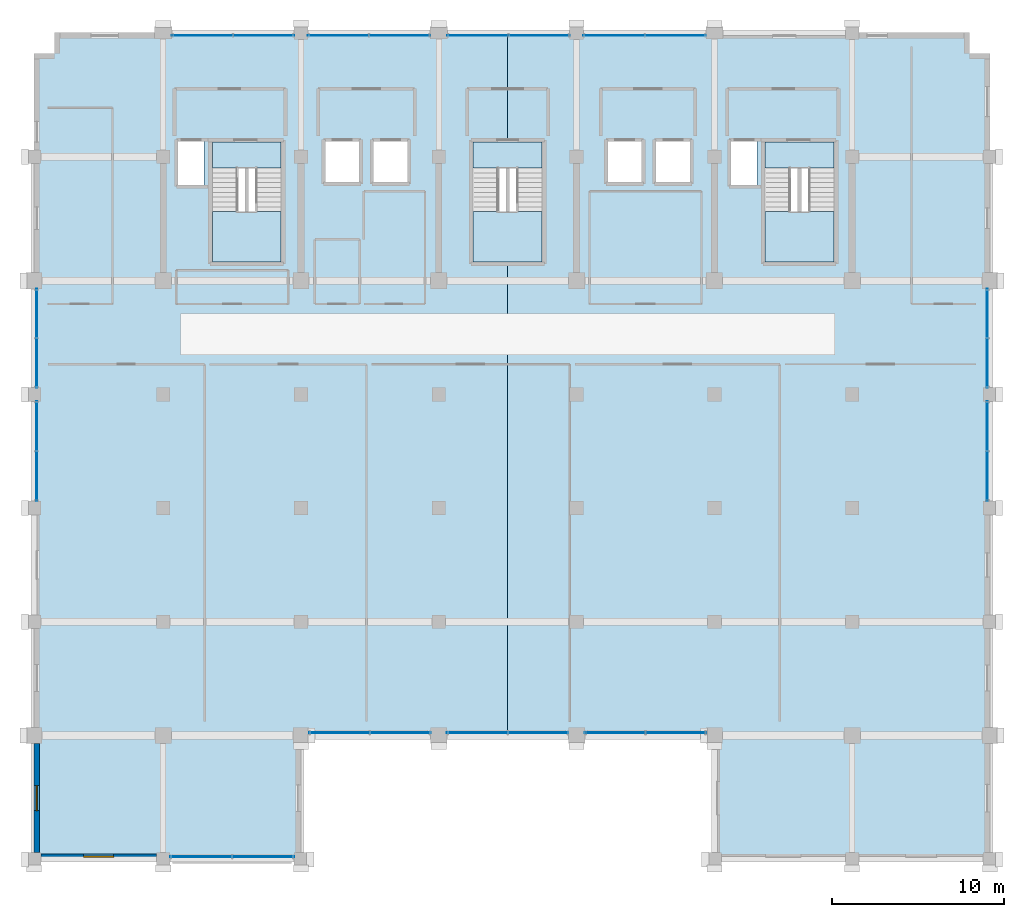
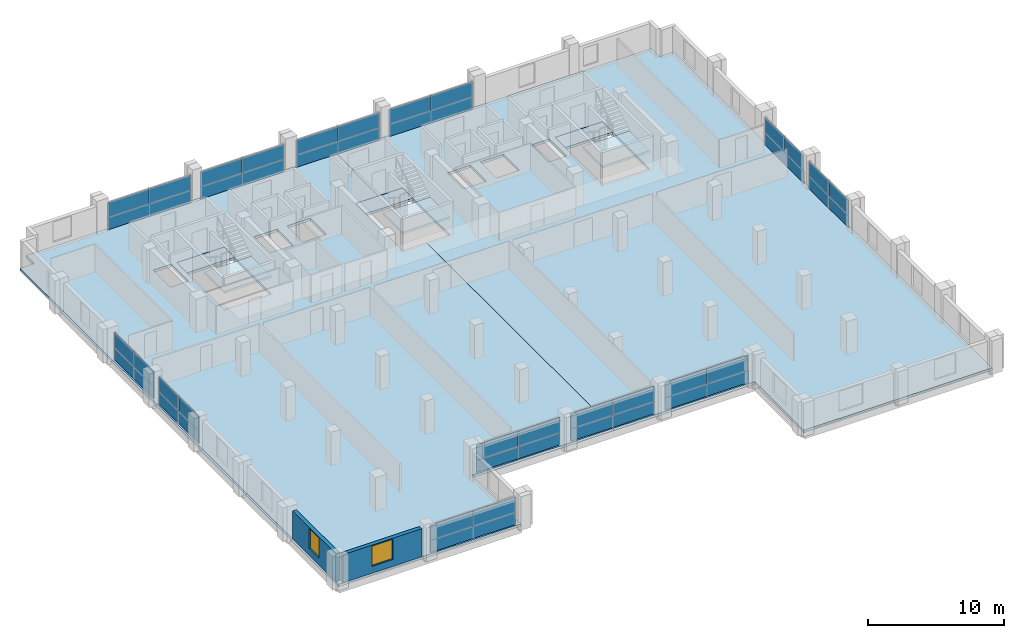
# One storey, part 18 of 23: 36 plates, 8 slabs, 2 walls, 2 windows, 2 openings, 15 elements without a shape of their own.
"""IFC4 building model written with IfcOpenShell, lengths in metres."""

from ifc_helpers import new_model, si_unit, direction, frame, frame_2d, origin, origin_2d, place, context, subcontext, project, spatial, polyline, rectangle, outline, extrude, material, layer, layer_set, type_object, element, fill, aggregate, save


model = new_model("IFC4")

# Units and contexts
model_context = context("Model", 3, precision=1e-05, world=origin(), true_north=direction((0.0, 1.0)))
body_context = subcontext(model_context, "Body", "Model", "MODEL_VIEW")
ifc_project = project(units=[si_unit("LENGTHUNIT", "METRE"), si_unit("AREAUNIT", "SQUARE_METRE"), si_unit("VOLUMEUNIT", "CUBIC_METRE"), si_unit("PLANEANGLEUNIT", "RADIAN"), si_unit("MASSUNIT", "GRAM", prefix="KILO")], contexts=[model_context])

# Site, building, storey
site_placement = place(None, origin())
site = spatial("IfcSite", under=ifc_project, at=site_placement, CompositionType="ELEMENT")
building_placement = place(site_placement, origin())
building = spatial("IfcBuilding", under=site, at=building_placement, Name="Akrevak Sports Hall", CompositionType="ELEMENT")
storey_placement = place(building_placement, frame((0.0, 0.0, 43.800048828125)))
storey = spatial("IfcBuildingStorey", under=building, at=storey_placement, Name="L10", CompositionType="ELEMENT", Elevation=43.800048828125)

# Curtain wall, plates
ifc_material_1 = material(Name="Anodized Bronze Aluminium & Low-E Glass", Category="aluminium")
curtain_wall_type = type_object("IfcCurtainWallType", Name="ARC-CW-TWR-64x30", PredefinedType="NOTDEFINED", material=ifc_material_1)
curtain_wall_1_placement = place(storey_placement, origin())
curtain_wall_1 = element("IfcCurtainWall", 1, at=curtain_wall_1_placement, inside=storey, type_object=curtain_wall_type, Name="Curtain Wall CW-L10-S02", PredefinedType="NOTDEFINED")
ifc_material_2 = material(Name="Double Low-E Tempered Glass", Category="glass")
ifc_layer_1 = layer(ifc_material_2, 0.031982421875, Name="Double Low-E Tempered Glass")
ifc_layer_set_1 = layer_set([ifc_layer_1], Name="Double Low-E Tempered Glass")
plate_type_1 = type_object("IfcPlateType", Name="ARC-CWP-GLZ-32", PredefinedType="CURTAIN_PANEL", material=ifc_layer_set_1)
plate_1_placement = place(storey_placement, frame((62.199951171875, 21.760009765625, 1.099853515625), z_axis=(0.0, 0.0, 1.0), x_axis=(1.0, 0.0, 0.0)))
plate_1 = element("IfcPlate", 2, at=plate_1_placement, type_object=plate_type_1, Name="Vision Glass Panel CW-L10-S02-G1", PredefinedType="CURTAIN_PANEL", context=body_context, shape_type="SweptSolid", body=[
    extrude(rectangle(XDim=3.60009765625, YDim=0.035888671875, at=origin_2d()), origin(), (0.0, 0.0, 1.0), 1.35009765625),
])
plate_2_placement = place(storey_placement, frame((65.800048828125, 21.760009765625, 1.099853515625), z_axis=(0.0, 0.0, 1.0), x_axis=(1.0, 0.0, 0.0)))
plate_2 = element("IfcPlate", 3, at=plate_2_placement, type_object=plate_type_1, Name="Vision Glass Panel CW-L10-S02-G2", PredefinedType="CURTAIN_PANEL", context=body_context, shape_type="SweptSolid", body=[
    extrude(rectangle(XDim=3.60009765625, YDim=0.035888671875, at=origin_2d()), origin(), (0.0, 0.0, 1.0), 1.35009765625),
])

curtain_wall_2_placement = place(storey_placement, origin())
curtain_wall_2 = element("IfcCurtainWall", 4, at=curtain_wall_2_placement, inside=storey, type_object=curtain_wall_type, Name="Curtain Wall CW-L10-S04", PredefinedType="NOTDEFINED")
plate_3_placement = place(storey_placement, frame((70.237548828125, 28.9599609375, 1.099853515625), z_axis=(0.0, 0.0, 1.0), x_axis=(1.0, 0.0, 0.0)))
plate_3 = element("IfcPlate", 5, at=plate_3_placement, type_object=plate_type_1, Name="Vision Glass Panel CW-L10-S04-G1", PredefinedType="CURTAIN_PANEL", context=body_context, shape_type="SweptSolid", body=[
    extrude(rectangle(XDim=3.52490234375, YDim=0.035888671875, at=origin_2d()), origin(), (0.0, 0.0, 1.0), 1.35009765625),
])
plate_4_placement = place(storey_placement, frame((73.762451171875, 28.9599609375, 1.099853515625), z_axis=(0.0, 0.0, 1.0), x_axis=(1.0, 0.0, 0.0)))
plate_4 = element("IfcPlate", 6, at=plate_4_placement, type_object=plate_type_1, Name="Vision Glass Panel CW-L10-S04-G2", PredefinedType="CURTAIN_PANEL", context=body_context, shape_type="SweptSolid", body=[
    extrude(rectangle(XDim=3.52490234375, YDim=0.035888671875, at=origin_2d()), origin(), (0.0, 0.0, 1.0), 1.35009765625),
])

curtain_wall_3_placement = place(storey_placement, origin())
curtain_wall_3 = element("IfcCurtainWall", 7, at=curtain_wall_3_placement, inside=storey, type_object=curtain_wall_type, Name="Curtain Wall CW-L10-S05", PredefinedType="NOTDEFINED")
plate_5_placement = place(storey_placement, frame((78.237548828125, 28.9599609375, 1.099853515625), z_axis=(0.0, 0.0, 1.0), x_axis=(1.0, 0.0, 0.0)))
plate_5 = element("IfcPlate", 8, at=plate_5_placement, type_object=plate_type_1, Name="Vision Glass Panel CW-L10-S05-G1", PredefinedType="CURTAIN_PANEL", context=body_context, shape_type="SweptSolid", body=[
    extrude(rectangle(XDim=3.52490234375, YDim=0.035888671875, at=origin_2d()), origin(), (0.0, 0.0, 1.0), 1.35009765625),
])
plate_6_placement = place(storey_placement, frame((81.762451171875, 28.9599609375, 1.099853515625), z_axis=(0.0, 0.0, 1.0), x_axis=(1.0, 0.0, 0.0)))
plate_6 = element("IfcPlate", 9, at=plate_6_placement, type_object=plate_type_1, Name="Vision Glass Panel CW-L10-S05-G2", PredefinedType="CURTAIN_PANEL", context=body_context, shape_type="SweptSolid", body=[
    extrude(rectangle(XDim=3.52490234375, YDim=0.035888671875, at=origin_2d()), origin(), (0.0, 0.0, 1.0), 1.35009765625),
])

curtain_wall_4_placement = place(storey_placement, origin())
curtain_wall_4 = element("IfcCurtainWall", 10, at=curtain_wall_4_placement, inside=storey, type_object=curtain_wall_type, Name="Curtain Wall CW-L10-S06", PredefinedType="NOTDEFINED")
plate_7_placement = place(storey_placement, frame((86.237548828125, 28.9599609375, 1.099853515625), z_axis=(0.0, 0.0, 1.0), x_axis=(1.0, 0.0, 0.0)))
plate_7 = element("IfcPlate", 11, at=plate_7_placement, type_object=plate_type_1, Name="Vision Glass Panel CW-L10-S06-G1", PredefinedType="CURTAIN_PANEL", context=body_context, shape_type="SweptSolid", body=[
    extrude(rectangle(XDim=3.52490234375, YDim=0.035888671875, at=origin_2d()), origin(), (0.0, 0.0, 1.0), 1.35009765625),
])
plate_8_placement = place(storey_placement, frame((89.762451171875, 28.9599609375, 1.099853515625), z_axis=(0.0, 0.0, 1.0), x_axis=(1.0, 0.0, 0.0)))
plate_8 = element("IfcPlate", 12, at=plate_8_placement, type_object=plate_type_1, Name="Vision Glass Panel CW-L10-S06-G2", PredefinedType="CURTAIN_PANEL", context=body_context, shape_type="SweptSolid", body=[
    extrude(rectangle(XDim=3.52490234375, YDim=0.035888671875, at=origin_2d()), origin(), (0.0, 0.0, 1.0), 1.35009765625),
])

curtain_wall_5_placement = place(storey_placement, origin())
curtain_wall_5 = element("IfcCurtainWall", 13, at=curtain_wall_5_placement, inside=storey, type_object=curtain_wall_type, Name="Curtain Wall CW-L10-E13", PredefinedType="NOTDEFINED")
plate_9_placement = place(storey_placement, frame((107.840087890625, 43.85009765625, 1.099853515625), z_axis=(0.0, 0.0, 1.0), x_axis=(0.0, 1.0, 0.0)))
plate_9 = element("IfcPlate", 14, at=plate_9_placement, type_object=plate_type_1, Name="Vision Glass Panel CW-L10-E13-G1", PredefinedType="CURTAIN_PANEL", context=body_context, shape_type="SweptSolid", body=[
    extrude(rectangle(XDim=2.89990234375, YDim=0.035888671875, at=origin_2d()), origin(), (0.0, 0.0, 1.0), 1.35009765625),
])
plate_10_placement = place(storey_placement, frame((107.840087890625, 46.75, 1.099853515625), z_axis=(0.0, 0.0, 1.0), x_axis=(0.0, 1.0, 0.0)))
plate_10 = element("IfcPlate", 15, at=plate_10_placement, type_object=plate_type_1, Name="Vision Glass Panel CW-L10-E13-G2", PredefinedType="CURTAIN_PANEL", context=body_context, shape_type="SweptSolid", body=[
    extrude(rectangle(XDim=2.89990234375, YDim=0.035888671875, at=origin_2d()), origin(), (0.0, 0.0, 1.0), 1.35009765625),
])

curtain_wall_6_placement = place(storey_placement, origin())
curtain_wall_6 = element("IfcCurtainWall", 16, at=curtain_wall_6_placement, inside=storey, type_object=curtain_wall_type, Name="Curtain Wall CW-L10-E14", PredefinedType="NOTDEFINED")
plate_11_placement = place(storey_placement, frame((107.840087890625, 50.43115234375, 1.099853515625), z_axis=(0.0, 0.0, 1.0), x_axis=(0.0, 1.0, 0.0)))
plate_11 = element("IfcPlate", 17, at=plate_11_placement, type_object=plate_type_1, Name="Vision Glass Panel CW-L10-E14-G1", PredefinedType="CURTAIN_PANEL", context=body_context, shape_type="SweptSolid", body=[
    extrude(rectangle(XDim=2.862548828125, YDim=0.035888671875, at=origin_2d()), origin(), (0.0, 0.0, 1.0), 1.35009765625),
])
plate_12_placement = place(storey_placement, frame((107.840087890625, 53.293701171875, 1.099853515625), z_axis=(0.0, 0.0, 1.0), x_axis=(0.0, 1.0, 0.0)))
plate_12 = element("IfcPlate", 18, at=plate_12_placement, type_object=plate_type_1, Name="Vision Glass Panel CW-L10-E14-G2", PredefinedType="CURTAIN_PANEL", context=body_context, shape_type="SweptSolid", body=[
    extrude(rectangle(XDim=2.862548828125, YDim=0.035888671875, at=origin_2d()), origin(), (0.0, 0.0, 1.0), 1.35009765625),
])

curtain_wall_7_placement = place(storey_placement, origin())
curtain_wall_7 = element("IfcCurtainWall", 19, at=curtain_wall_7_placement, inside=storey, type_object=curtain_wall_type, Name="Curtain Wall CW-L10-N21", PredefinedType="NOTDEFINED")
plate_13_placement = place(storey_placement, frame((89.72509765625, 69.43994140625, 1.099853515625), z_axis=(0.0, 0.0, 1.0), x_axis=(-1.0, 0.0, 0.0)))
plate_13 = element("IfcPlate", 20, at=plate_13_placement, type_object=plate_type_1, Name="Vision Glass Panel CW-L10-N21-G1", PredefinedType="CURTAIN_PANEL", context=body_context, shape_type="SweptSolid", body=[
    extrude(rectangle(XDim=3.550048828125, YDim=0.035888671875, at=origin_2d()), origin(), (0.0, 0.0, 1.0), 1.35009765625),
])
plate_14_placement = place(storey_placement, frame((86.175048828125, 69.43994140625, 1.099853515625), z_axis=(0.0, 0.0, 1.0), x_axis=(-1.0, 0.0, 0.0)))
plate_14 = element("IfcPlate", 21, at=plate_14_placement, type_object=plate_type_1, Name="Vision Glass Panel CW-L10-N21-G2", PredefinedType="CURTAIN_PANEL", context=body_context, shape_type="SweptSolid", body=[
    extrude(rectangle(XDim=3.550048828125, YDim=0.035888671875, at=origin_2d()), origin(), (0.0, 0.0, 1.0), 1.35009765625),
])

curtain_wall_8_placement = place(storey_placement, origin())
curtain_wall_8 = element("IfcCurtainWall", 22, at=curtain_wall_8_placement, inside=storey, type_object=curtain_wall_type, Name="Curtain Wall CW-L10-N22", PredefinedType="NOTDEFINED")
plate_15_placement = place(storey_placement, frame((81.824951171875, 69.43994140625, 1.099853515625), z_axis=(0.0, 0.0, 1.0), x_axis=(-1.0, 0.0, 0.0)))
plate_15 = element("IfcPlate", 23, at=plate_15_placement, type_object=plate_type_1, Name="Vision Glass Panel CW-L10-N22-G1", PredefinedType="CURTAIN_PANEL", context=body_context, shape_type="SweptSolid", body=[
    extrude(rectangle(XDim=3.550048828125, YDim=0.035888671875, at=origin_2d()), origin(), (0.0, 0.0, 1.0), 1.35009765625),
])
plate_16_placement = place(storey_placement, frame((78.27490234375, 69.43994140625, 1.099853515625), z_axis=(0.0, 0.0, 1.0), x_axis=(-1.0, 0.0, 0.0)))
plate_16 = element("IfcPlate", 24, at=plate_16_placement, type_object=plate_type_1, Name="Vision Glass Panel CW-L10-N22-G2", PredefinedType="CURTAIN_PANEL", context=body_context, shape_type="SweptSolid", body=[
    extrude(rectangle(XDim=3.550048828125, YDim=0.035888671875, at=origin_2d()), origin(), (0.0, 0.0, 1.0), 1.35009765625),
])

curtain_wall_9_placement = place(storey_placement, origin())
curtain_wall_9 = element("IfcCurtainWall", 25, at=curtain_wall_9_placement, inside=storey, type_object=curtain_wall_type, Name="Curtain Wall CW-L10-N23", PredefinedType="NOTDEFINED")
plate_17_placement = place(storey_placement, frame((73.72509765625, 69.43994140625, 1.099853515625), z_axis=(0.0, 0.0, 1.0), x_axis=(-1.0, 0.0, 0.0)))
plate_17 = element("IfcPlate", 26, at=plate_17_placement, type_object=plate_type_1, Name="Vision Glass Panel CW-L10-N23-G1", PredefinedType="CURTAIN_PANEL", context=body_context, shape_type="SweptSolid", body=[
    extrude(rectangle(XDim=3.550048828125, YDim=0.035888671875, at=origin_2d()), origin(), (0.0, 0.0, 1.0), 1.35009765625),
])
plate_18_placement = place(storey_placement, frame((70.175048828125, 69.43994140625, 1.099853515625), z_axis=(0.0, 0.0, 1.0), x_axis=(-1.0, 0.0, 0.0)))
plate_18 = element("IfcPlate", 27, at=plate_18_placement, type_object=plate_type_1, Name="Vision Glass Panel CW-L10-N23-G2", PredefinedType="CURTAIN_PANEL", context=body_context, shape_type="SweptSolid", body=[
    extrude(rectangle(XDim=3.550048828125, YDim=0.035888671875, at=origin_2d()), origin(), (0.0, 0.0, 1.0), 1.35009765625),
])

curtain_wall_10_placement = place(storey_placement, origin())
curtain_wall_10 = element("IfcCurtainWall", 28, at=curtain_wall_10_placement, inside=storey, type_object=curtain_wall_type, Name="Curtain Wall CW-L10-N24", PredefinedType="NOTDEFINED")
plate_19_placement = place(storey_placement, frame((65.824951171875, 69.43994140625, 1.099853515625), z_axis=(0.0, 0.0, 1.0), x_axis=(-1.0, 0.0, 0.0)))
plate_19 = element("IfcPlate", 29, at=plate_19_placement, type_object=plate_type_1, Name="Vision Glass Panel CW-L10-N24-G1", PredefinedType="CURTAIN_PANEL", context=body_context, shape_type="SweptSolid", body=[
    extrude(rectangle(XDim=3.550048828125, YDim=0.035888671875, at=origin_2d()), origin(), (0.0, 0.0, 1.0), 1.35009765625),
])
plate_20_placement = place(storey_placement, frame((62.27490234375, 69.43994140625, 1.099853515625), z_axis=(0.0, 0.0, 1.0), x_axis=(-1.0, 0.0, 0.0)))
plate_20 = element("IfcPlate", 30, at=plate_20_placement, type_object=plate_type_1, Name="Vision Glass Panel CW-L10-N24-G2", PredefinedType="CURTAIN_PANEL", context=body_context, shape_type="SweptSolid", body=[
    extrude(rectangle(XDim=3.550048828125, YDim=0.035888671875, at=origin_2d()), origin(), (0.0, 0.0, 1.0), 1.35009765625),
])

curtain_wall_11_placement = place(storey_placement, origin())
curtain_wall_11 = element("IfcCurtainWall", 31, at=curtain_wall_11_placement, inside=storey, type_object=curtain_wall_type, Name="Curtain Wall CW-L10-W30", PredefinedType="NOTDEFINED")
plate_21_placement = place(storey_placement, frame((52.659912109375, 53.293701171875, 1.099853515625), z_axis=(0.0, 0.0, 1.0), x_axis=(0.0, -1.0, 0.0)))
plate_21 = element("IfcPlate", 32, at=plate_21_placement, type_object=plate_type_1, Name="Vision Glass Panel CW-L10-W30-G1", PredefinedType="CURTAIN_PANEL", context=body_context, shape_type="SweptSolid", body=[
    extrude(rectangle(XDim=2.862548828125, YDim=0.035888671875, at=origin_2d()), origin(), (0.0, 0.0, 1.0), 1.35009765625),
])
plate_22_placement = place(storey_placement, frame((52.659912109375, 50.43115234375, 1.099853515625), z_axis=(0.0, 0.0, 1.0), x_axis=(0.0, -1.0, 0.0)))
plate_22 = element("IfcPlate", 33, at=plate_22_placement, type_object=plate_type_1, Name="Vision Glass Panel CW-L10-W30-G2", PredefinedType="CURTAIN_PANEL", context=body_context, shape_type="SweptSolid", body=[
    extrude(rectangle(XDim=2.862548828125, YDim=0.035888671875, at=origin_2d()), origin(), (0.0, 0.0, 1.0), 1.35009765625),
])

curtain_wall_12_placement = place(storey_placement, origin())
curtain_wall_12 = element("IfcCurtainWall", 34, at=curtain_wall_12_placement, inside=storey, type_object=curtain_wall_type, Name="Curtain Wall CW-L10-W31", PredefinedType="NOTDEFINED")
plate_23_placement = place(storey_placement, frame((52.659912109375, 46.75, 1.099853515625), z_axis=(0.0, 0.0, 1.0), x_axis=(0.0, -1.0, 0.0)))
plate_23 = element("IfcPlate", 35, at=plate_23_placement, type_object=plate_type_1, Name="Vision Glass Panel CW-L10-W31-G1", PredefinedType="CURTAIN_PANEL", context=body_context, shape_type="SweptSolid", body=[
    extrude(rectangle(XDim=2.89990234375, YDim=0.035888671875, at=origin_2d()), origin(), (0.0, 0.0, 1.0), 1.35009765625),
])
plate_24_placement = place(storey_placement, frame((52.659912109375, 43.85009765625, 1.099853515625), z_axis=(0.0, 0.0, 1.0), x_axis=(0.0, -1.0, 0.0)))
plate_24 = element("IfcPlate", 36, at=plate_24_placement, type_object=plate_type_1, Name="Vision Glass Panel CW-L10-W31-G2", PredefinedType="CURTAIN_PANEL", context=body_context, shape_type="SweptSolid", body=[
    extrude(rectangle(XDim=2.89990234375, YDim=0.035888671875, at=origin_2d()), origin(), (0.0, 0.0, 1.0), 1.35009765625),
])

# Plate
ifc_material_3 = material(Name="Insulated Bronze Spandrel Panel", Category="aluminium")
ifc_layer_2 = layer(ifc_material_3, 0.0400390625, Name="Insulated Bronze Spandrel Panel")
ifc_layer_set_2 = layer_set([ifc_layer_2], Name="Insulated Bronze Spandrel Panel")
plate_type_2 = type_object("IfcPlateType", Name="ARC-CWP-SPD-40", PredefinedType="CURTAIN_PANEL", material=ifc_layer_set_2)
plate_25_placement = place(storey_placement, frame((64.0, 21.760009765625, 0.0), z_axis=(0.0, 0.0, 1.0), x_axis=(1.0, 0.0, 0.0)))
plate_25 = element("IfcPlate", 37, at=plate_25_placement, type_object=plate_type_2, Name="Insulated Spandrel Panel CW-L10-S02-S1", PredefinedType="CURTAIN_PANEL", context=body_context, shape_type="SweptSolid", body=[
    extrude(rectangle(XDim=7.199951171875, YDim=0.0439453125, at=origin_2d()), origin(), (0.0, 0.0, 1.0), 1.10009765625),
])

aggregate(curtain_wall_1, [plate_1, plate_2, plate_25])

plate_26_placement = place(storey_placement, frame((72.0, 28.9599609375, 0.0), z_axis=(0.0, 0.0, 1.0), x_axis=(1.0, 0.0, 0.0)))
plate_26 = element("IfcPlate", 38, at=plate_26_placement, type_object=plate_type_2, Name="Insulated Spandrel Panel CW-L10-S04-S1", PredefinedType="CURTAIN_PANEL", context=body_context, shape_type="SweptSolid", body=[
    extrude(rectangle(XDim=7.050048828125, YDim=0.0439453125, at=origin_2d()), origin(), (0.0, 0.0, 1.0), 1.10009765625),
])

aggregate(curtain_wall_2, [plate_3, plate_4, plate_26])

plate_27_placement = place(storey_placement, frame((80.0, 28.9599609375, 0.0), z_axis=(0.0, 0.0, 1.0), x_axis=(1.0, 0.0, 0.0)))
plate_27 = element("IfcPlate", 39, at=plate_27_placement, type_object=plate_type_2, Name="Insulated Spandrel Panel CW-L10-S05-S1", PredefinedType="CURTAIN_PANEL", context=body_context, shape_type="SweptSolid", body=[
    extrude(rectangle(XDim=7.050048828125, YDim=0.0439453125, at=origin_2d()), origin(), (0.0, 0.0, 1.0), 1.10009765625),
])

aggregate(curtain_wall_3, [plate_5, plate_6, plate_27])

plate_28_placement = place(storey_placement, frame((88.0, 28.9599609375, 0.0), z_axis=(0.0, 0.0, 1.0), x_axis=(1.0, 0.0, 0.0)))
plate_28 = element("IfcPlate", 40, at=plate_28_placement, type_object=plate_type_2, Name="Insulated Spandrel Panel CW-L10-S06-S1", PredefinedType="CURTAIN_PANEL", context=body_context, shape_type="SweptSolid", body=[
    extrude(rectangle(XDim=7.050048828125, YDim=0.0439453125, at=origin_2d()), origin(), (0.0, 0.0, 1.0), 1.10009765625),
])

aggregate(curtain_wall_4, [plate_7, plate_8, plate_28])

plate_29_placement = place(storey_placement, frame((107.840087890625, 45.300048828125, 0.0), z_axis=(0.0, 0.0, 1.0), x_axis=(0.0, 1.0, 0.0)))
plate_29 = element("IfcPlate", 41, at=plate_29_placement, type_object=plate_type_2, Name="Insulated Spandrel Panel CW-L10-E13-S1", PredefinedType="CURTAIN_PANEL", context=body_context, shape_type="SweptSolid", body=[
    extrude(rectangle(XDim=5.800048828125, YDim=0.0439453125, at=origin_2d()), origin(), (0.0, 0.0, 1.0), 1.10009765625),
])

aggregate(curtain_wall_5, [plate_9, plate_10, plate_29])

plate_30_placement = place(storey_placement, frame((107.840087890625, 51.862548828125, 0.0), z_axis=(0.0, 0.0, 1.0), x_axis=(0.0, 1.0, 0.0)))
plate_30 = element("IfcPlate", 42, at=plate_30_placement, type_object=plate_type_2, Name="Insulated Spandrel Panel CW-L10-E14-S1", PredefinedType="CURTAIN_PANEL", context=body_context, shape_type="SweptSolid", body=[
    extrude(rectangle(XDim=5.72509765625, YDim=0.0439453125, at=origin_2d()), origin(), (0.0, 0.0, 1.0), 1.10009765625),
])

aggregate(curtain_wall_6, [plate_11, plate_12, plate_30])

plate_31_placement = place(storey_placement, frame((87.949951171875, 69.43994140625, 0.0), z_axis=(0.0, 0.0, 1.0), x_axis=(-1.0, 0.0, 0.0)))
plate_31 = element("IfcPlate", 43, at=plate_31_placement, type_object=plate_type_2, Name="Insulated Spandrel Panel CW-L10-N21-S1", PredefinedType="CURTAIN_PANEL", context=body_context, shape_type="SweptSolid", body=[
    extrude(rectangle(XDim=7.10009765625, YDim=0.0439453125, at=origin_2d()), origin(), (0.0, 0.0, 1.0), 1.10009765625),
])

aggregate(curtain_wall_7, [plate_13, plate_14, plate_31])

plate_32_placement = place(storey_placement, frame((80.050048828125, 69.43994140625, 0.0), z_axis=(0.0, 0.0, 1.0), x_axis=(-1.0, 0.0, 0.0)))
plate_32 = element("IfcPlate", 44, at=plate_32_placement, type_object=plate_type_2, Name="Insulated Spandrel Panel CW-L10-N22-S1", PredefinedType="CURTAIN_PANEL", context=body_context, shape_type="SweptSolid", body=[
    extrude(rectangle(XDim=7.10009765625, YDim=0.0439453125, at=origin_2d()), origin(), (0.0, 0.0, 1.0), 1.10009765625),
])

aggregate(curtain_wall_8, [plate_15, plate_16, plate_32])

plate_33_placement = place(storey_placement, frame((71.949951171875, 69.43994140625, 0.0), z_axis=(0.0, 0.0, 1.0), x_axis=(-1.0, 0.0, 0.0)))
plate_33 = element("IfcPlate", 45, at=plate_33_placement, type_object=plate_type_2, Name="Insulated Spandrel Panel CW-L10-N23-S1", PredefinedType="CURTAIN_PANEL", context=body_context, shape_type="SweptSolid", body=[
    extrude(rectangle(XDim=7.10009765625, YDim=0.0439453125, at=origin_2d()), origin(), (0.0, 0.0, 1.0), 1.10009765625),
])

aggregate(curtain_wall_9, [plate_17, plate_18, plate_33])

plate_34_placement = place(storey_placement, frame((64.050048828125, 69.43994140625, 0.0), z_axis=(0.0, 0.0, 1.0), x_axis=(-1.0, 0.0, 0.0)))
plate_34 = element("IfcPlate", 46, at=plate_34_placement, type_object=plate_type_2, Name="Insulated Spandrel Panel CW-L10-N24-S1", PredefinedType="CURTAIN_PANEL", context=body_context, shape_type="SweptSolid", body=[
    extrude(rectangle(XDim=7.10009765625, YDim=0.0439453125, at=origin_2d()), origin(), (0.0, 0.0, 1.0), 1.10009765625),
])

aggregate(curtain_wall_10, [plate_19, plate_20, plate_34])

plate_35_placement = place(storey_placement, frame((52.659912109375, 51.862548828125, 0.0), z_axis=(0.0, 0.0, 1.0), x_axis=(0.0, -1.0, 0.0)))
plate_35 = element("IfcPlate", 47, at=plate_35_placement, type_object=plate_type_2, Name="Insulated Spandrel Panel CW-L10-W30-S1", PredefinedType="CURTAIN_PANEL", context=body_context, shape_type="SweptSolid", body=[
    extrude(rectangle(XDim=5.72509765625, YDim=0.0439453125, at=origin_2d()), origin(), (0.0, 0.0, 1.0), 1.10009765625),
])

aggregate(curtain_wall_11, [plate_21, plate_22, plate_35])

plate_36_placement = place(storey_placement, frame((52.659912109375, 45.300048828125, 0.0), z_axis=(0.0, 0.0, 1.0), x_axis=(0.0, -1.0, 0.0)))
plate_36 = element("IfcPlate", 48, at=plate_36_placement, type_object=plate_type_2, Name="Insulated Spandrel Panel CW-L10-W31-S1", PredefinedType="CURTAIN_PANEL", context=body_context, shape_type="SweptSolid", body=[
    extrude(rectangle(XDim=5.800048828125, YDim=0.0439453125, at=origin_2d()), origin(), (0.0, 0.0, 1.0), 1.10009765625),
])

aggregate(curtain_wall_12, [plate_23, plate_24, plate_36])

# Slabs
ifc_material_4 = material(Name="Concrete C40/50", Category="concrete")
ifc_layer_3 = layer(ifc_material_4, 0.239990234375, Name="Concrete C40/50")
ifc_layer_set_3 = layer_set([ifc_layer_3], Name="Concrete C40/50")
slab_type_1 = type_object("IfcSlabType", Name="STR-SLB-FLR-240", PredefinedType="FLOOR", material=ifc_layer_set_3)
slab_1_placement = place(storey_placement, frame((0.0, 0.0, -0.239990234375)))
element("IfcSlab", 49, at=slab_1_placement, inside=storey, type_object=slab_type_1, Name="Structural Floor Slab L10-1.1", PredefinedType="FLOOR", context=body_context, shape_type="SweptSolid", body=[
    extrude(outline(polyline([(52.5, 68.39990234375), (52.5, 21.60009765625), (68.0, 21.60009765625), (68.0, 28.800048828125), (80.0, 28.800048828125), (80.0, 56.300048828125), (78.0, 56.300048828125), (78.0, 63.25), (80.0, 63.25), (80.0, 69.60009765625), (53.699951171875, 69.60009765625), (53.699951171875, 68.39990234375), (52.5, 68.39990234375)]), holes=[polyline([(62.85009765625, 63.25), (66.85009765625, 63.25), (66.85009765625, 56.300048828125), (62.85009765625, 56.300048828125), (62.85009765625, 63.25)]), polyline([(60.8701171875, 63.280029296875), (62.3798828125, 63.280029296875), (62.3798828125, 60.77001953125), (60.8701171875, 60.77001953125), (60.8701171875, 63.280029296875)]), polyline([(69.419921875, 63.280029296875), (71.3798828125, 63.280029296875), (71.3798828125, 60.919921875), (69.419921875, 60.919921875), (69.419921875, 63.280029296875)]), polyline([(72.219970703125, 63.280029296875), (74.179931640625, 63.280029296875), (74.179931640625, 60.919921875), (72.219970703125, 60.919921875), (72.219970703125, 63.280029296875)])]), origin(), (0.0, 0.0, 1.0), 0.239990234375),
])
slab_2_placement = place(storey_placement, frame((0.0, 0.0, -0.239990234375)))
element("IfcSlab", 50, at=slab_2_placement, inside=storey, type_object=slab_type_1, Name="Structural Floor Slab L10-2.1", PredefinedType="FLOOR", context=body_context, shape_type="SweptSolid", body=[
    extrude(outline(polyline([(80.0, 69.60009765625), (80.0, 63.25), (82.0, 63.25), (82.0, 56.300048828125), (80.0, 56.300048828125), (80.0, 28.800048828125), (92.0, 28.800048828125), (92.0, 21.60009765625), (108.0, 21.60009765625), (108.0, 68.39990234375), (106.800048828125, 68.39990234375), (106.800048828125, 69.60009765625), (80.0, 69.60009765625)]), holes=[polyline([(94.949951171875, 63.25), (98.949951171875, 63.25), (98.949951171875, 56.300048828125), (94.949951171875, 56.300048828125), (94.949951171875, 63.25)]), polyline([(92.969970703125, 63.280029296875), (94.47998046875, 63.280029296875), (94.47998046875, 60.77001953125), (92.969970703125, 60.77001953125), (92.969970703125, 63.280029296875)]), polyline([(87.780029296875, 63.280029296875), (87.780029296875, 60.919921875), (85.820068359375, 60.919921875), (85.820068359375, 63.280029296875), (87.780029296875, 63.280029296875)]), polyline([(90.580078125, 63.280029296875), (90.580078125, 60.919921875), (88.6201171875, 60.919921875), (88.6201171875, 63.280029296875), (90.580078125, 63.280029296875)])]), origin(), (0.0, 0.0, 1.0), 0.239990234375),
])

# Stair, slab
stair_type = type_object("IfcStairType", Name="ARC-STR-DOG-325", PredefinedType="HALF_TURN_STAIR", material=ifc_material_4)
stair_1_placement = place(storey_placement, origin())
stair_1 = element("IfcStair", 51, at=stair_1_placement, inside=storey, type_object=stair_type, Name="Protected Exit Stair ST1 (L10 to L11)", PredefinedType="HALF_TURN_STAIR")
ifc_layer_4 = layer(ifc_material_4, 0.199951171875, Name="Concrete C40/50")
ifc_layer_set_4 = layer_set([ifc_layer_4], Name="Concrete C40/50")
slab_type_2 = type_object("IfcSlabType", Name="STR-SLB-LAND-200", PredefinedType="LANDING", material=ifc_layer_set_4)
slab_3_placement = place(storey_placement, frame((0.0, 0.0, 1.425048828125)))
slab_3 = element("IfcSlab", 52, at=slab_3_placement, type_object=slab_type_2, Name="Stair ST1 Half-Landing 1 (L10)", PredefinedType="LANDING", context=body_context, shape_type="SweptSolid", body=[
    extrude(outline(polyline([(62.85009765625, 56.300048828125), (66.85009765625, 56.300048828125), (66.85009765625, 59.215087890625), (62.85009765625, 59.215087890625), (62.85009765625, 56.300048828125)])), origin(), (0.0, 0.0, 1.0), 0.199951171875),
])
aggregate(stair_1, [slab_3])

stair_2_placement = place(storey_placement, origin())
stair_2 = element("IfcStair", 53, at=stair_2_placement, inside=storey, type_object=stair_type, Name="Protected Exit Stair ST2 (L10 to L11)", PredefinedType="HALF_TURN_STAIR")
slab_4_placement = place(storey_placement, frame((0.0, 0.0, 1.425048828125)))
slab_4 = element("IfcSlab", 54, at=slab_4_placement, type_object=slab_type_2, Name="Stair ST2 Half-Landing 1 (L10)", PredefinedType="LANDING", context=body_context, shape_type="SweptSolid", body=[
    extrude(outline(polyline([(94.949951171875, 56.300048828125), (98.949951171875, 56.300048828125), (98.949951171875, 59.215087890625), (94.949951171875, 59.215087890625), (94.949951171875, 56.300048828125)])), origin(), (0.0, 0.0, 1.0), 0.199951171875),
])
aggregate(stair_2, [slab_4])

stair_3_placement = place(storey_placement, origin())
stair_3 = element("IfcStair", 55, at=stair_3_placement, inside=storey, type_object=stair_type, Name="Protected Exit Stair ST3 (L10 to L11)", PredefinedType="HALF_TURN_STAIR")
slab_5_placement = place(storey_placement, frame((0.0, 0.0, 1.425048828125)))
slab_5 = element("IfcSlab", 56, at=slab_5_placement, type_object=slab_type_2, Name="Stair ST3 Half-Landing 1 (L10)", PredefinedType="LANDING", context=body_context, shape_type="SweptSolid", body=[
    extrude(outline(polyline([(78.0, 56.300048828125), (82.0, 56.300048828125), (82.0, 59.215087890625), (78.0, 59.215087890625), (78.0, 56.300048828125)])), origin(), (0.0, 0.0, 1.0), 0.199951171875),
])
aggregate(stair_3, [slab_5])

# Slabs
ifc_layer_5 = layer(ifc_material_4, 0.219970703125, Name="Concrete C40/50")
ifc_layer_set_5 = layer_set([ifc_layer_5], Name="Concrete C40/50")
slab_type_3 = type_object("IfcSlabType", Name="STR-SLB-LAND-220", PredefinedType="LANDING", material=ifc_layer_set_5)
slab_6_placement = place(storey_placement, frame((0.0, 0.0, -0.219970703125)))
element("IfcSlab", 57, at=slab_6_placement, inside=storey, type_object=slab_type_3, Name="Stair ST1 Floor Landing (L10)", PredefinedType="LANDING", context=body_context, shape_type="SweptSolid", body=[
    extrude(outline(polyline([(62.85009765625, 61.735107421875), (66.85009765625, 61.735107421875), (66.85009765625, 63.25), (62.85009765625, 63.25), (62.85009765625, 61.735107421875)])), origin(), (0.0, 0.0, 1.0), 0.219970703125),
])
slab_7_placement = place(storey_placement, frame((0.0, 0.0, -0.219970703125)))
element("IfcSlab", 58, at=slab_7_placement, inside=storey, type_object=slab_type_3, Name="Stair ST2 Floor Landing (L10)", PredefinedType="LANDING", context=body_context, shape_type="SweptSolid", body=[
    extrude(outline(polyline([(94.949951171875, 61.735107421875), (98.949951171875, 61.735107421875), (98.949951171875, 63.25), (94.949951171875, 63.25), (94.949951171875, 61.735107421875)])), origin(), (0.0, 0.0, 1.0), 0.219970703125),
])
slab_8_placement = place(storey_placement, frame((0.0, 0.0, -0.219970703125)))
element("IfcSlab", 59, at=slab_8_placement, inside=storey, type_object=slab_type_3, Name="Stair ST3 Floor Landing (L10)", PredefinedType="LANDING", context=body_context, shape_type="SweptSolid", body=[
    extrude(outline(polyline([(78.0, 61.735107421875), (82.0, 61.735107421875), (82.0, 63.25), (78.0, 63.25), (78.0, 61.735107421875)])), origin(), (0.0, 0.0, 1.0), 0.219970703125),
])

# Wall, opening, window
ifc_material_5 = material(Name="Limestone Ashlar", Category="stone")
ifc_layer_6 = layer(ifc_material_5, 0.070068359375, Name="Limestone Ashlar")
ifc_material_6 = material(Name="Mineral Wool Thermal Insulation", Category="insulation")
ifc_layer_7 = layer(ifc_material_6, 0.090087890625, Name="Mineral Wool Thermal Insulation")
ifc_layer_8 = layer(ifc_material_4, 0.159912109375, Name="Concrete C40/50")
ifc_layer_set_6 = layer_set([ifc_layer_6, ifc_layer_7, ifc_layer_8], Name="Limestone Ashlar / Mineral Wool Thermal Insulation / Concrete C40/50")
wall_type = type_object("IfcWallType", Name="ARC-WL-EXT-320", PredefinedType="SOLIDWALL", material=ifc_layer_set_6)
wall_1_placement = place(storey_placement, frame((52.89990234375, 21.760009765625, 0.0), z_axis=(0.0, 0.0, 1.0), x_axis=(1.0, 0.0, 0.0)))
wall_1 = element("IfcWall", 60, at=wall_1_placement, inside=storey, type_object=wall_type, Name="Tower Stone Facade Wall L10-S01", PredefinedType="SOLIDWALL", context=body_context, shape_type="SweptSolid", body=[
    extrude(rectangle(XDim=6.7001953125, YDim=0.320068359375, at=frame_2d((3.35009765625, 0.0))), origin(), (0.0, 0.0, 1.0), 2.530029296875),
])
opening_1_placement = place(wall_1_placement, frame((2.47509765625, 0.0, 0.6201171875)))
opening_1 = element("IfcOpeningElement", 61, at=opening_1_placement, cuts=wall_1, Name="Opening WN-56", PredefinedType="OPENING", context=body_context, shape_type="SweptSolid", body=[
    extrude(rectangle(XDim=1.75, YDim=1.81005859375, at=frame_2d((0.875, 0.905029296875))), frame((0.0, 0.171875, 0.0), z_axis=(0.0, -1.0, 0.0), x_axis=(1.0, 0.0, 0.0)), (0.0, 0.0, 1.0), 0.343994140625),
])
ifc_material_7 = material(Name="Thermally Broken Bronze Frame & Double Low-E Glass", Category="glass")
window_type_1 = type_object("IfcWindowType", Name="ARC-WIN-SZ-1750x1810", PartitioningType="SINGLE_PANEL", PredefinedType="WINDOW", material=ifc_material_7)
window_1_placement = place(opening_1_placement, origin())
window_1 = element("IfcWindow", 62, at=window_1_placement, inside=storey, type_object=window_type_1, Name="Tower Window L10-S01", OverallHeight=1.81005859375, OverallWidth=1.75, PartitioningType="SINGLE_PANEL", PredefinedType="WINDOW", context=body_context, shape_type="SweptSolid", body=[
    extrude(rectangle(XDim=1.75, YDim=1.81005859375, at=frame_2d((0.875, 0.905029296875))), frame((0.0, 0.030029296875, 0.0), z_axis=(0.0, -1.0, 0.0), x_axis=(1.0, 0.0, 0.0)), (0.0, 0.0, 1.0), 0.06005859375),
])
fill(opening_1, window_1)

wall_2_placement = place(storey_placement, frame((52.659912109375, 28.324951171875, 0.0), z_axis=(0.0, 0.0, 1.0), x_axis=(0.0, -1.0, 0.0)))
wall_2 = element("IfcWall", 63, at=wall_2_placement, inside=storey, type_object=wall_type, Name="Tower Stone Facade Wall L10-W34", PredefinedType="SOLIDWALL", context=body_context, shape_type="SweptSolid", body=[
    extrude(rectangle(XDim=6.324951171875, YDim=0.320068359375, at=frame_2d((3.16259765625, 0.0))), origin(), (0.0, 0.0, 1.0), 2.530029296875),
])
opening_2_placement = place(wall_2_placement, frame((2.4375, 0.0, 0.6201171875)))
opening_2 = element("IfcOpeningElement", 64, at=opening_2_placement, cuts=wall_2, Name="Opening WN-51", PredefinedType="OPENING", context=body_context, shape_type="SweptSolid", body=[
    extrude(rectangle(XDim=1.449951171875, YDim=1.81005859375, at=frame_2d((0.72509765625, 0.905029296875))), frame((0.0, 0.171875, 0.0), z_axis=(0.0, -1.0, 0.0), x_axis=(1.0, 0.0, 0.0)), (0.0, 0.0, 1.0), 0.343994140625),
])
window_type_2 = type_object("IfcWindowType", Name="ARC-WIN-SZ-1450x1810", PartitioningType="SINGLE_PANEL", PredefinedType="WINDOW", material=ifc_material_7)
window_2_placement = place(opening_2_placement, origin())
window_2 = element("IfcWindow", 65, at=window_2_placement, inside=storey, type_object=window_type_2, Name="Tower Window L10-W34", OverallHeight=1.81005859375, OverallWidth=1.449951171875, PartitioningType="SINGLE_PANEL", PredefinedType="WINDOW", context=body_context, shape_type="SweptSolid", body=[
    extrude(rectangle(XDim=1.449951171875, YDim=1.81005859375, at=frame_2d((0.72509765625, 0.905029296875))), frame((0.0, 0.030029296875, 0.0), z_axis=(0.0, -1.0, 0.0), x_axis=(1.0, 0.0, 0.0)), (0.0, 0.0, 1.0), 0.06005859375),
])
fill(opening_2, window_2)

save(model, "model.ifc")
